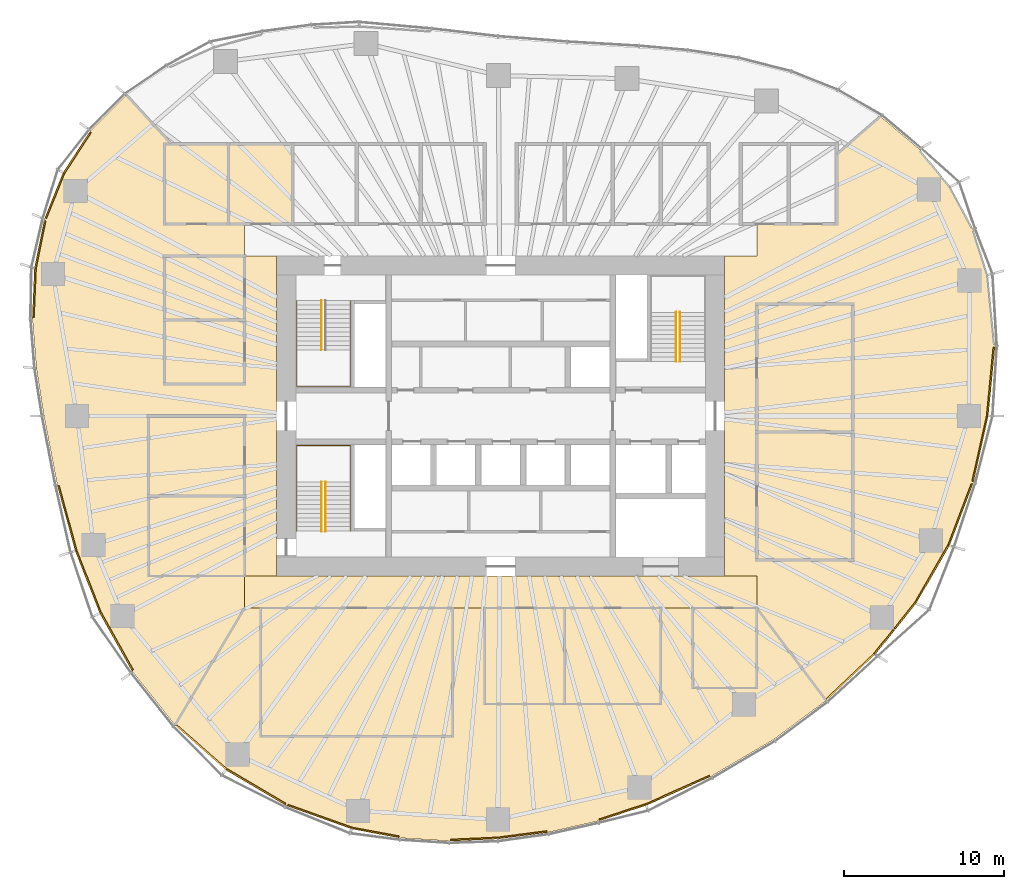
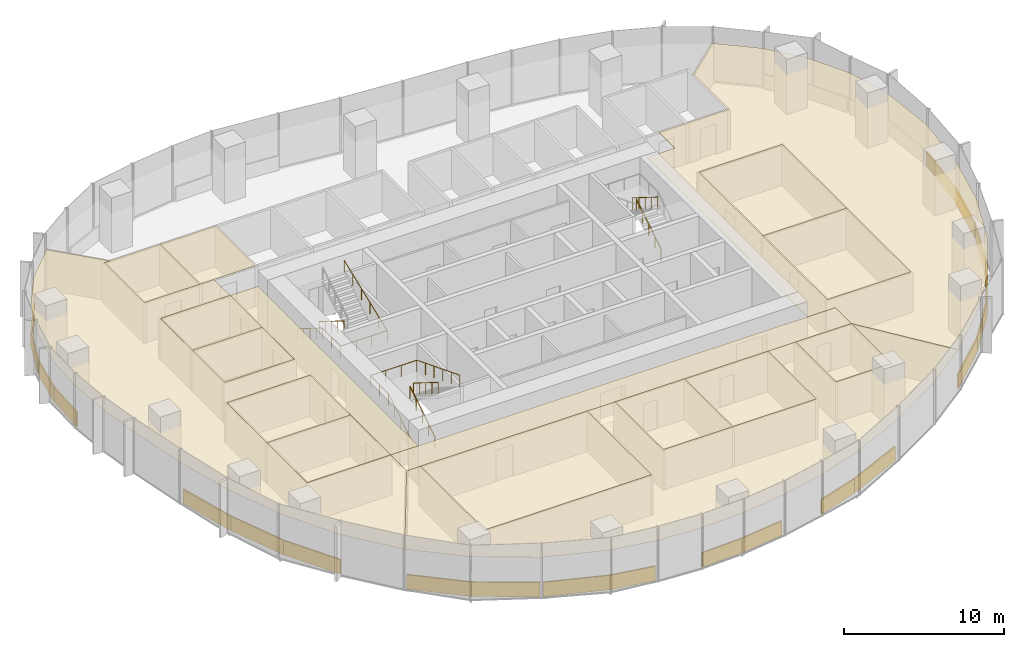
# One storey, part 17 of 18: 38 coverings, 7 railings.
"""IFC4 building model written with IfcOpenShell, lengths in metres."""

from ifc_helpers import new_model, si_unit, direction, frame, origin, origin_2d, place, context, subcontext, project, spatial, polyline, rectangle, circle, outline, extrude, material, layer, layer_set, type_object, element, save


model = new_model("IFC4")

# Units and contexts
model_context = context("Model", 3, precision=1e-05, world=origin(), true_north=direction((0.0, 1.0)))
body_context = subcontext(model_context, "Body", "Model", "MODEL_VIEW")
ifc_project = project(units=[si_unit("LENGTHUNIT", "METRE"), si_unit("AREAUNIT", "SQUARE_METRE"), si_unit("VOLUMEUNIT", "CUBIC_METRE"), si_unit("PLANEANGLEUNIT", "RADIAN"), si_unit("MASSUNIT", "GRAM", prefix="KILO")], contexts=[model_context])

# Site, building, storey
site_placement = place(None, origin())
site = spatial("IfcSite", under=ifc_project, at=site_placement, CompositionType="ELEMENT")
building_placement = place(site_placement, origin())
building = spatial("IfcBuilding", under=site, at=building_placement, Name="Ghaith Harvest Tower", CompositionType="ELEMENT")
storey_placement = place(building_placement, frame((0.0, 0.0, 134.39990234375)))
storey = spatial("IfcBuildingStorey", under=building, at=storey_placement, Name="L28", CompositionType="ELEMENT", Elevation=134.39990234375)

# Coverings
ifc_material_1 = material(Name="Mineral fibre ceiling tile", Category="gypsum")
ifc_layer_1 = layer(ifc_material_1, 0.02001953125)
ifc_layer_set_1 = layer_set([ifc_layer_1], Name="CEILING C1")
covering_type_1 = type_object("IfcCoveringType", Name="CEILING C1", PredefinedType="CEILING", material=ifc_layer_set_1)
covering_1_placement = place(storey_placement, frame((0.0, 0.0, 3.0)))
element("IfcCovering", 1, at=covering_1_placement, inside=storey, type_object=covering_type_1, Name="Ceiling L28-01", PredefinedType="CEILING", context=body_context, shape_type="SweptSolid", body=[
    extrude(outline(polyline([(-15.0, -20.0), (-3.0, -20.0), (-3.0, -12.0), (-15.0, -12.0), (-15.0, -20.0)])), origin(), (0.0, 0.0, 1.0), 0.02001953125),
])
covering_2_placement = place(storey_placement, frame((0.0, 0.0, 3.0)))
element("IfcCovering", 2, at=covering_2_placement, inside=storey, type_object=covering_type_1, Name="Ceiling L28-02", PredefinedType="CEILING", context=body_context, shape_type="SweptSolid", body=[
    extrude(outline(polyline([(-1.0, -18.0), (4.0, -18.0), (4.0, -12.0), (-1.0, -12.0), (-1.0, -18.0)])), origin(), (0.0, 0.0, 1.0), 0.02001953125),
])
covering_3_placement = place(storey_placement, frame((0.0, 0.0, 3.0)))
element("IfcCovering", 3, at=covering_3_placement, inside=storey, type_object=covering_type_1, Name="Ceiling L28-03", PredefinedType="CEILING", context=body_context, shape_type="SweptSolid", body=[
    extrude(outline(polyline([(4.0, -18.0), (10.0, -18.0), (10.0, -12.0), (4.0, -12.0), (4.0, -18.0)])), origin(), (0.0, 0.0, 1.0), 0.02001953125),
])
covering_4_placement = place(storey_placement, frame((0.0, 0.0, 3.0)))
element("IfcCovering", 4, at=covering_4_placement, inside=storey, type_object=covering_type_1, Name="Ceiling L28-04", PredefinedType="CEILING", context=body_context, shape_type="SweptSolid", body=[
    extrude(outline(polyline([(-21.0, 12.0), (-17.0, 12.0), (-17.0, 17.0), (-21.0, 17.0), (-21.0, 12.0)])), origin(), (0.0, 0.0, 1.0), 0.02001953125),
])
covering_5_placement = place(storey_placement, frame((0.0, 0.0, 3.0)))
element("IfcCovering", 5, at=covering_5_placement, inside=storey, type_object=covering_type_1, Name="Ceiling L28-05", PredefinedType="CEILING", context=body_context, shape_type="SweptSolid", body=[
    extrude(outline(polyline([(-17.0, 12.0), (-13.0, 12.0), (-13.0, 17.0), (-17.0, 17.0), (-17.0, 12.0)])), origin(), (0.0, 0.0, 1.0), 0.02001953125),
])
covering_6_placement = place(storey_placement, frame((0.0, 0.0, 3.0)))
element("IfcCovering", 6, at=covering_6_placement, inside=storey, type_object=covering_type_1, Name="Ceiling L28-13", PredefinedType="CEILING", context=body_context, shape_type="SweptSolid", body=[
    extrude(outline(polyline([(16.0, -9.0), (22.0, -9.0), (22.0, -1.0), (16.0, -1.0), (16.0, -9.0)])), origin(), (0.0, 0.0, 1.0), 0.02001953125),
])
covering_7_placement = place(storey_placement, frame((0.0, 0.0, 3.0)))
element("IfcCovering", 7, at=covering_7_placement, inside=storey, type_object=covering_type_1, Name="Ceiling L28-14", PredefinedType="CEILING", context=body_context, shape_type="SweptSolid", body=[
    extrude(outline(polyline([(16.0, -1.0), (22.0, -1.0), (22.0, 7.0), (16.0, 7.0), (16.0, -1.0)])), origin(), (0.0, 0.0, 1.0), 0.02001953125),
])
covering_8_placement = place(storey_placement, frame((0.0, 0.0, 3.0)))
element("IfcCovering", 8, at=covering_8_placement, inside=storey, type_object=covering_type_1, Name="Ceiling L28-15", PredefinedType="CEILING", context=body_context, shape_type="SweptSolid", body=[
    extrude(outline(polyline([(-22.0, -10.0), (-16.0, -10.0), (-16.0, -5.0), (-22.0, -5.0), (-22.0, -10.0)])), origin(), (0.0, 0.0, 1.0), 0.02001953125),
])
covering_9_placement = place(storey_placement, frame((0.0, 0.0, 3.0)))
element("IfcCovering", 9, at=covering_9_placement, inside=storey, type_object=covering_type_1, Name="Ceiling L28-16", PredefinedType="CEILING", context=body_context, shape_type="SweptSolid", body=[
    extrude(outline(polyline([(-22.0, -5.0), (-16.0, -5.0), (-16.0, 0.0), (-22.0, 0.0), (-22.0, -5.0)])), origin(), (0.0, 0.0, 1.0), 0.02001953125),
])
covering_10_placement = place(storey_placement, frame((0.0, 0.0, 3.0)))
element("IfcCovering", 10, at=covering_10_placement, inside=storey, type_object=covering_type_1, Name="Ceiling L28-19", PredefinedType="CEILING", context=body_context, shape_type="SweptSolid", body=[
    extrude(outline(polyline([(12.0, -17.0), (16.0, -17.0), (16.0, -12.0), (12.0, -12.0), (12.0, -17.0)])), origin(), (0.0, 0.0, 1.0), 0.02001953125),
])
covering_11_placement = place(storey_placement, frame((0.0, 0.0, 3.0)))
element("IfcCovering", 11, at=covering_11_placement, inside=storey, type_object=covering_type_1, Name="Ceiling L28-20", PredefinedType="CEILING", context=body_context, shape_type="SweptSolid", body=[
    extrude(outline(polyline([(-21.0, 2.0), (-16.0, 2.0), (-16.0, 6.0), (-21.0, 6.0), (-21.0, 2.0)])), origin(), (0.0, 0.0, 1.0), 0.02001953125),
])
covering_12_placement = place(storey_placement, frame((0.0, 0.0, 3.0)))
element("IfcCovering", 12, at=covering_12_placement, inside=storey, type_object=covering_type_1, Name="Ceiling L28-21", PredefinedType="CEILING", context=body_context, shape_type="SweptSolid", body=[
    extrude(outline(polyline([(-21.0, 6.0), (-16.0, 6.0), (-16.0, 10.0), (-21.0, 10.0), (-21.0, 6.0)])), origin(), (0.0, 0.0, 1.0), 0.02001953125),
])
covering_13_placement = place(storey_placement, frame((0.0, 0.0, 3.0)))
element("IfcCovering", 13, at=covering_13_placement, inside=storey, type_object=covering_type_1, Name="Ceiling L28-C2", PredefinedType="CEILING", context=body_context, shape_type="SweptSolid", body=[
    extrude(outline(polyline([(-16.0, -10.0), (16.0, -10.0), (16.0, -12.0), (-16.0, -12.0), (-16.0, -10.0)])), origin(), (0.0, 0.0, 1.0), 0.02001953125),
])
covering_14_placement = place(storey_placement, frame((0.0, 0.0, 3.0)))
element("IfcCovering", 14, at=covering_14_placement, inside=storey, type_object=covering_type_1, Name="Ceiling L28-E1", PredefinedType="CEILING", context=body_context, shape_type="SweptSolid", body=[
    extrude(outline(polyline([(26.179443359375, 16.660888671875), (28.0888671875, 14.32568359375), (29.52294921875, 11.671875), (30.439208984375, 8.797607421875), (30.8798828125, 4.373046875), (30.458740234375, 0.0), (29.527099609375, -4.181396484375), (28.03125, -8.1015625), (25.94775390625, -11.714111328125), (23.400390625, -14.89208984375), (20.33935546875, -17.784912109375), (16.0, -12.0), (16.0, -10.0), (14.0, -10.0), (14.0, 10.0), (16.0, 10.0), (16.0, 12.0), (21.0, 12.0), (21.0, 16.3466796875), (23.7275390625, 18.718017578125), (26.179443359375, 16.660888671875)]), holes=[polyline([(16.0, 7.0), (16.0, -9.0), (22.0, -9.0), (22.0, 7.0), (16.0, 7.0)])]), origin(), (0.0, 0.0, 1.0), 0.02001953125),
])
covering_15_placement = place(storey_placement, frame((0.0, 0.0, 3.0)))
element("IfcCovering", 15, at=covering_15_placement, inside=storey, type_object=covering_type_1, Name="Ceiling L28-S1", PredefinedType="CEILING", context=body_context, shape_type="SweptSolid", body=[
    extrude(outline(polyline([(17.054443359375, -20.22412109375), (13.163818359375, -22.510498046875), (9.09423828125, -24.326904296875), (6.09228515625, -25.308837890625), (2.99609375, -26.010009765625), (-0.180908203125, -26.423583984375), (-3.204833984375, -26.556884765625), (-6.2666015625, -26.366455078125), (-9.317138671875, -25.79638671875), (-13.4052734375, -24.33740234375), (-17.1728515625, -22.11181640625), (-20.35400390625, -19.31396484375), (-16.0, -12.0), (-15.0, -12.0), (-15.0, -20.0), (-3.0, -20.0), (-3.0, -12.0), (-1.0, -12.0), (-1.0, -18.0), (10.0, -18.0), (10.0, -12.0), (12.0, -12.0), (12.0, -17.0), (16.0, -17.0), (16.0, -12.0), (20.33935546875, -17.784912109375), (17.054443359375, -20.22412109375)])), origin(), (0.0, 0.0, 1.0), 0.02001953125),
])
covering_16_placement = place(storey_placement, frame((0.0, 0.0, 3.0)))
element("IfcCovering", 16, at=covering_16_placement, inside=storey, type_object=covering_type_1, Name="Ceiling L28-W1", PredefinedType="CEILING", context=body_context, shape_type="SweptSolid", body=[
    extrude(outline(polyline([(-29.12646484375, 9.230712890625), (-28.506591796875, 12.29638671875), (-27.33837890625, 15.204833984375), (-25.61962890625, 17.826416015625), (-23.398193359375, 20.06103515625), (-20.5888671875, 17.0), (-21.0, 17.0), (-21.0, 12.0), (-16.0, 12.0), (-16.0, 10.010009765625), (-21.010009765625, 10.010009765625), (-21.010009765625, 1.989990234375), (-15.989990234375, 1.989990234375), (-15.989990234375, 10.0), (-14.0, 10.0), (-14.0, -10.0), (-15.989990234375, -10.0), (-15.989990234375, 0.010009765625), (-22.010009765625, 0.010009765625), (-22.010009765625, -10.010009765625), (-16.0, -10.010009765625), (-16.0, -12.0), (-20.35400390625, -19.31396484375), (-22.99169921875, -15.997802734375), (-25.046875, -12.32861328125), (-26.580078125, -8.423583984375), (-27.70947265625, -4.285888671875), (-28.541259765625, 0.0), (-29.01171875, 2.978271484375), (-29.260498046875, 6.07177734375), (-29.12646484375, 9.230712890625)])), origin(), (0.0, 0.0, 1.0), 0.02001953125),
])

# Railings
ifc_material_2 = material(Name="Steel, black powder-coated", Category="steel")
railing_type = type_object("IfcRailingType", Name="HANDRAIL HR1", PredefinedType="HANDRAIL", material=ifc_material_2)
railing_1_placement = place(storey_placement, frame((-11.199951171875, 7.199951171875, 0.175048828125)))
element("IfcRailing", 17, at=railing_1_placement, inside=storey, type_object=railing_type, Name="Handrail HR1 stair ST1 L28 flight 1 inner", PredefinedType="HANDRAIL", context=body_context, shape_type="SweptSolid", body=[
    extrude(circle(Radius=0.02392578125, at=origin_2d()), frame((0.0, 0.0, 0.8759765625), z_axis=(0.0, -0.847979421464, 0.530029150871), x_axis=(1.0, 0.0, 0.0)), (0.0, 0.0, 1.0), 3.632080078125),
    extrude(circle(Radius=0.02099609375, at=origin_2d()), origin(), (0.0, 0.0, 1.0), 0.851806640625),
    extrude(circle(Radius=0.02099609375, at=origin_2d()), frame((0.0, -0.77001953125, 0.481201171875)), (0.0, 0.0, 1.0), 0.851806640625),
    extrude(circle(Radius=0.02099609375, at=origin_2d()), frame((0.0, -1.5400390625, 0.96240234375)), (0.0, 0.0, 1.0), 0.851806640625),
    extrude(circle(Radius=0.02099609375, at=origin_2d()), frame((0.0, -2.309814453125, 1.44384765625)), (0.0, 0.0, 1.0), 0.851806640625),
    extrude(circle(Radius=0.02099609375, at=origin_2d()), frame((0.0, -3.079833984375, 1.925048828125)), (0.0, 0.0, 1.0), 0.851806640625),
])
railing_2_placement = place(storey_placement, frame((-12.75, 7.199951171875, 0.175048828125)))
element("IfcRailing", 18, at=railing_2_placement, inside=storey, type_object=railing_type, Name="Handrail HR1 stair ST1 L28 wall side", PredefinedType="HANDRAIL", context=body_context, shape_type="SweptSolid", body=[
    extrude(circle(Radius=0.02392578125, at=origin_2d()), frame((0.0, 0.0, 0.8759765625), z_axis=(0.0, -0.847979421464, 0.530029150871), x_axis=(1.0, 0.0, 0.0)), (0.0, 0.0, 1.0), 3.632080078125),
    extrude(circle(Radius=0.02392578125, at=origin_2d()), frame((0.0, -3.079833984375, 2.80078125), z_axis=(0.0, -1.0, 0.0), x_axis=(1.0, 0.0, 0.0)), (0.0, 0.0, 1.0), 2.27001953125),
    extrude(circle(Radius=0.02392578125, at=origin_2d()), frame((0.0, -5.349853515625, 2.80078125), z_axis=(1.0, 0.0, 0.0), x_axis=(0.0, 1.0, 0.0)), (0.0, 0.0, 1.0), 3.35009765625),
    extrude(circle(Radius=0.02392578125, at=origin_2d()), frame((3.35009765625, -5.349853515625, 2.80078125), z_axis=(0.0, 0.930848013298, 0.36540659017), x_axis=(-1.0, 0.0, 0.0)), (0.0, 0.0, 1.0), 5.747314453125),
    extrude(circle(Radius=0.02099609375, at=origin_2d()), origin(), (0.0, 0.0, 1.0), 0.851806640625),
    extrude(circle(Radius=0.02099609375, at=origin_2d()), frame((0.0, -0.77001953125, 0.481201171875)), (0.0, 0.0, 1.0), 0.851806640625),
    extrude(circle(Radius=0.02099609375, at=origin_2d()), frame((0.0, -1.5400390625, 0.96240234375)), (0.0, 0.0, 1.0), 0.851806640625),
    extrude(circle(Radius=0.02099609375, at=origin_2d()), frame((0.0, -2.309814453125, 1.44384765625)), (0.0, 0.0, 1.0), 0.851806640625),
    extrude(circle(Radius=0.02099609375, at=origin_2d()), frame((0.0, -3.079833984375, 1.925048828125)), (0.0, 0.0, 1.0), 0.851806640625),
    extrude(circle(Radius=0.02099609375, at=origin_2d()), frame((0.0, -4.21484375, 1.925048828125)), (0.0, 0.0, 1.0), 0.851806640625),
    extrude(circle(Radius=0.02099609375, at=origin_2d()), frame((0.0, -5.349853515625, 1.925048828125)), (0.0, 0.0, 1.0), 0.851806640625),
    extrude(circle(Radius=0.02099609375, at=origin_2d()), frame((1.11669921875, -5.349853515625, 1.925048828125)), (0.0, 0.0, 1.0), 0.851806640625),
    extrude(circle(Radius=0.02099609375, at=origin_2d()), frame((2.2333984375, -5.349853515625, 1.925048828125)), (0.0, 0.0, 1.0), 0.851806640625),
    extrude(circle(Radius=0.02099609375, at=origin_2d()), frame((3.35009765625, -5.349853515625, 1.925048828125)), (0.0, 0.0, 1.0), 0.851806640625),
    extrude(circle(Radius=0.02099609375, at=origin_2d()), frame((3.35009765625, -4.27978515625, 2.344970703125)), (0.0, 0.0, 1.0), 0.851806640625),
    extrude(circle(Radius=0.02099609375, at=origin_2d()), frame((3.35009765625, -3.2099609375, 2.76513671875)), (0.0, 0.0, 1.0), 0.851806640625),
    extrude(circle(Radius=0.02099609375, at=origin_2d()), frame((3.35009765625, -2.139892578125, 3.18505859375)), (0.0, 0.0, 1.0), 0.851806640625),
    extrude(circle(Radius=0.02099609375, at=origin_2d()), frame((3.35009765625, -1.070068359375, 3.605224609375)), (0.0, 0.0, 1.0), 0.851806640625),
    extrude(circle(Radius=0.02099609375, at=origin_2d()), frame((3.35009765625, 0.0, 4.025146484375)), (0.0, 0.0, 1.0), 0.851806640625),
])
railing_3_placement = place(storey_placement, frame((-11.199951171875, -7.199951171875, 0.175048828125)))
element("IfcRailing", 19, at=railing_3_placement, inside=storey, type_object=railing_type, Name="Handrail HR1 stair ST3 L28 flight 1 inner", PredefinedType="HANDRAIL", context=body_context, shape_type="SweptSolid", body=[
    extrude(circle(Radius=0.02392578125, at=origin_2d()), frame((0.0, 0.0, 0.8759765625), z_axis=(0.0, 0.847979421464, 0.530029150871), x_axis=(-1.0, 0.0, 0.0)), (0.0, 0.0, 1.0), 3.632080078125),
    extrude(circle(Radius=0.02099609375, at=origin_2d()), origin(), (0.0, 0.0, 1.0), 0.851806640625),
    extrude(circle(Radius=0.02099609375, at=origin_2d()), frame((0.0, 0.77001953125, 0.481201171875)), (0.0, 0.0, 1.0), 0.851806640625),
    extrude(circle(Radius=0.02099609375, at=origin_2d()), frame((0.0, 1.5400390625, 0.96240234375)), (0.0, 0.0, 1.0), 0.851806640625),
    extrude(circle(Radius=0.02099609375, at=origin_2d()), frame((0.0, 2.309814453125, 1.44384765625)), (0.0, 0.0, 1.0), 0.851806640625),
    extrude(circle(Radius=0.02099609375, at=origin_2d()), frame((0.0, 3.079833984375, 1.925048828125)), (0.0, 0.0, 1.0), 0.851806640625),
])
railing_4_placement = place(storey_placement, frame((-10.949951171875, -4.1201171875, 2.275146484375)))
element("IfcRailing", 20, at=railing_4_placement, inside=storey, type_object=railing_type, Name="Handrail HR1 stair ST3 L28 flight 2 inner", PredefinedType="HANDRAIL", context=body_context, shape_type="SweptSolid", body=[
    extrude(circle(Radius=0.02392578125, at=origin_2d()), frame((0.0, 0.0, 0.8759765625), z_axis=(0.0, -0.847979421464, 0.530029150871), x_axis=(1.0, 0.0, 0.0)), (0.0, 0.0, 1.0), 3.632080078125),
    extrude(circle(Radius=0.02099609375, at=origin_2d()), origin(), (0.0, 0.0, 1.0), 0.851806640625),
    extrude(circle(Radius=0.02099609375, at=origin_2d()), frame((0.0, -0.77001953125, 0.481201171875)), (0.0, 0.0, 1.0), 0.851806640625),
    extrude(circle(Radius=0.02099609375, at=origin_2d()), frame((0.0, -1.5400390625, 0.96240234375)), (0.0, 0.0, 1.0), 0.851806640625),
    extrude(circle(Radius=0.02099609375, at=origin_2d()), frame((0.0, -2.309814453125, 1.44384765625)), (0.0, 0.0, 1.0), 0.851806640625),
    extrude(circle(Radius=0.02099609375, at=origin_2d()), frame((0.0, -3.079833984375, 1.925048828125)), (0.0, 0.0, 1.0), 0.851806640625),
])
railing_5_placement = place(storey_placement, frame((-12.75, -7.199951171875, 0.175048828125)))
element("IfcRailing", 21, at=railing_5_placement, inside=storey, type_object=railing_type, Name="Handrail HR1 stair ST3 L28 wall side", PredefinedType="HANDRAIL", context=body_context, shape_type="SweptSolid", body=[
    extrude(circle(Radius=0.02392578125, at=origin_2d()), frame((0.0, 0.0, 0.8759765625), z_axis=(0.0, 0.847979421464, 0.530029150871), x_axis=(-1.0, 0.0, 0.0)), (0.0, 0.0, 1.0), 3.632080078125),
    extrude(circle(Radius=0.02392578125, at=origin_2d()), frame((0.0, 3.079833984375, 2.80078125), z_axis=(0.0, 1.0, 0.0), x_axis=(-1.0, 0.0, 0.0)), (0.0, 0.0, 1.0), 2.27001953125),
    extrude(circle(Radius=0.02392578125, at=origin_2d()), frame((0.0, 5.349853515625, 2.80078125), z_axis=(1.0, 0.0, 0.0), x_axis=(0.0, 1.0, 0.0)), (0.0, 0.0, 1.0), 3.35009765625),
    extrude(circle(Radius=0.02392578125, at=origin_2d()), frame((3.35009765625, 5.349853515625, 2.80078125), z_axis=(0.0, -0.930848013298, 0.36540659017), x_axis=(1.0, 0.0, 0.0)), (0.0, 0.0, 1.0), 5.747314453125),
    extrude(circle(Radius=0.02099609375, at=origin_2d()), origin(), (0.0, 0.0, 1.0), 0.851806640625),
    extrude(circle(Radius=0.02099609375, at=origin_2d()), frame((0.0, 0.77001953125, 0.481201171875)), (0.0, 0.0, 1.0), 0.851806640625),
    extrude(circle(Radius=0.02099609375, at=origin_2d()), frame((0.0, 1.5400390625, 0.96240234375)), (0.0, 0.0, 1.0), 0.851806640625),
    extrude(circle(Radius=0.02099609375, at=origin_2d()), frame((0.0, 2.309814453125, 1.44384765625)), (0.0, 0.0, 1.0), 0.851806640625),
    extrude(circle(Radius=0.02099609375, at=origin_2d()), frame((0.0, 3.079833984375, 1.925048828125)), (0.0, 0.0, 1.0), 0.851806640625),
    extrude(circle(Radius=0.02099609375, at=origin_2d()), frame((0.0, 4.21484375, 1.925048828125)), (0.0, 0.0, 1.0), 0.851806640625),
    extrude(circle(Radius=0.02099609375, at=origin_2d()), frame((0.0, 5.349853515625, 1.925048828125)), (0.0, 0.0, 1.0), 0.851806640625),
    extrude(circle(Radius=0.02099609375, at=origin_2d()), frame((1.11669921875, 5.349853515625, 1.925048828125)), (0.0, 0.0, 1.0), 0.851806640625),
    extrude(circle(Radius=0.02099609375, at=origin_2d()), frame((2.2333984375, 5.349853515625, 1.925048828125)), (0.0, 0.0, 1.0), 0.851806640625),
    extrude(circle(Radius=0.02099609375, at=origin_2d()), frame((3.35009765625, 5.349853515625, 1.925048828125)), (0.0, 0.0, 1.0), 0.851806640625),
    extrude(circle(Radius=0.02099609375, at=origin_2d()), frame((3.35009765625, 4.27978515625, 2.344970703125)), (0.0, 0.0, 1.0), 0.851806640625),
    extrude(circle(Radius=0.02099609375, at=origin_2d()), frame((3.35009765625, 3.2099609375, 2.76513671875)), (0.0, 0.0, 1.0), 0.851806640625),
    extrude(circle(Radius=0.02099609375, at=origin_2d()), frame((3.35009765625, 2.139892578125, 3.18505859375)), (0.0, 0.0, 1.0), 0.851806640625),
    extrude(circle(Radius=0.02099609375, at=origin_2d()), frame((3.35009765625, 1.070068359375, 3.605224609375)), (0.0, 0.0, 1.0), 0.851806640625),
    extrude(circle(Radius=0.02099609375, at=origin_2d()), frame((3.35009765625, 0.0, 4.025146484375)), (0.0, 0.0, 1.0), 0.851806640625),
])
railing_6_placement = place(storey_placement, frame((11.199951171875, 3.39990234375, 0.175048828125)))
element("IfcRailing", 22, at=railing_6_placement, inside=storey, type_object=railing_type, Name="Handrail HR1 stair ST2 L28 flight 1 inner", PredefinedType="HANDRAIL", context=body_context, shape_type="SweptSolid", body=[
    extrude(circle(Radius=0.02392578125, at=origin_2d()), frame((0.0, 0.0, 0.8759765625), z_axis=(0.0, 0.847998304005, 0.529998940003), x_axis=(-1.0, 0.0, 0.0)), (0.0, 0.0, 1.0), 3.632080078125),
    extrude(circle(Radius=0.02099609375, at=origin_2d()), origin(), (0.0, 0.0, 1.0), 0.851806640625),
    extrude(circle(Radius=0.02099609375, at=origin_2d()), frame((0.0, 0.77001953125, 0.481201171875)), (0.0, 0.0, 1.0), 0.851806640625),
    extrude(circle(Radius=0.02099609375, at=origin_2d()), frame((0.0, 1.5400390625, 0.96240234375)), (0.0, 0.0, 1.0), 0.851806640625),
    extrude(circle(Radius=0.02099609375, at=origin_2d()), frame((0.0, 2.31005859375, 1.44384765625)), (0.0, 0.0, 1.0), 0.851806640625),
    extrude(circle(Radius=0.02099609375, at=origin_2d()), frame((0.0, 3.080078125, 1.925048828125)), (0.0, 0.0, 1.0), 0.851806640625),
])
railing_7_placement = place(storey_placement, frame((10.949951171875, 6.47998046875, 2.275146484375)))
element("IfcRailing", 23, at=railing_7_placement, inside=storey, type_object=railing_type, Name="Handrail HR1 stair ST2 L28 flight 2 inner", PredefinedType="HANDRAIL", context=body_context, shape_type="SweptSolid", body=[
    extrude(circle(Radius=0.02392578125, at=origin_2d()), frame((0.0, 0.0, 0.8759765625), z_axis=(0.0, -0.847998304005, 0.529998940003), x_axis=(1.0, 0.0, 0.0)), (0.0, 0.0, 1.0), 3.632080078125),
    extrude(circle(Radius=0.02099609375, at=origin_2d()), origin(), (0.0, 0.0, 1.0), 0.851806640625),
    extrude(circle(Radius=0.02099609375, at=origin_2d()), frame((0.0, -0.77001953125, 0.481201171875)), (0.0, 0.0, 1.0), 0.851806640625),
    extrude(circle(Radius=0.02099609375, at=origin_2d()), frame((0.0, -1.5400390625, 0.96240234375)), (0.0, 0.0, 1.0), 0.851806640625),
    extrude(circle(Radius=0.02099609375, at=origin_2d()), frame((0.0, -2.31005859375, 1.44384765625)), (0.0, 0.0, 1.0), 0.851806640625),
    extrude(circle(Radius=0.02099609375, at=origin_2d()), frame((0.0, -3.080078125, 1.925048828125)), (0.0, 0.0, 1.0), 0.851806640625),
])

# Coverings
ifc_material_3 = material(Name="Insulated aluminium spandrel panel on steel framing", Category="steel")
ifc_layer_2 = layer(ifc_material_3, 0.10009765625)
ifc_layer_set_2 = layer_set([ifc_layer_2], Name="SLAB EDGE UPSTAND 1100x100")
covering_type_2 = type_object("IfcCoveringType", Name="SLAB EDGE UPSTAND 1100x100", PredefinedType="CLADDING", material=ifc_layer_set_2)
covering_17_placement = place(storey_placement, frame((30.61474609375, 2.1416015625, 0.0), z_axis=(0.0, 0.0, 1.0), x_axis=(0.095861332319, 0.99539469808, 0.0)))
element("IfcCovering", 24, at=covering_17_placement, inside=storey, type_object=covering_type_2, Name="Slab edge upstand 1 bay 01 L28", PredefinedType="CLADDING", context=body_context, shape_type="SweptSolid", body=[
    extrude(rectangle(XDim=4.293212890625, YDim=0.10009765625, at=origin_2d()), origin(), (0.0, 0.0, 1.0), 1.10009765625),
])
covering_18_placement = place(storey_placement, frame((-26.464599609375, 16.4462890625, 0.0), z_axis=(0.0, 0.0, 1.0), x_axis=(-0.548312211554, -0.836273710373, 0.0)))
element("IfcCovering", 25, at=covering_18_placement, inside=storey, type_object=covering_type_2, Name="Slab edge upstand 1 bay 09 L28", PredefinedType="CLADDING", context=body_context, shape_type="SweptSolid", body=[
    extrude(rectangle(XDim=3.03466796875, YDim=0.10009765625, at=origin_2d()), origin(), (0.0, 0.0, 1.0), 1.10009765625),
])
covering_19_placement = place(storey_placement, frame((-27.857421875, 13.7783203125, 0.0), z_axis=(0.0, 0.0, 1.0), x_axis=(-0.372732078847, -0.927939005215, 0.0)))
element("IfcCovering", 26, at=covering_19_placement, inside=storey, type_object=covering_type_2, Name="Slab edge upstand 2 bay 09 L28", PredefinedType="CLADDING", context=body_context, shape_type="SweptSolid", body=[
    extrude(rectangle(XDim=3.034423828125, YDim=0.10009765625, at=origin_2d()), origin(), (0.0, 0.0, 1.0), 1.10009765625),
])
covering_20_placement = place(storey_placement, frame((-28.777587890625, 10.70458984375, 0.0), z_axis=(0.0, 0.0, 1.0), x_axis=(-0.198182542943, -0.980165128778, 0.0)))
element("IfcCovering", 27, at=covering_20_placement, inside=storey, type_object=covering_type_2, Name="Slab edge upstand 3 bay 09 L28", PredefinedType="CLADDING", context=body_context, shape_type="SweptSolid", body=[
    extrude(rectangle(XDim=3.027587890625, YDim=0.10009765625, at=origin_2d()), origin(), (0.0, 0.0, 1.0), 1.10009765625),
])
covering_21_placement = place(storey_placement, frame((-29.141357421875, 7.69921875, 0.0), z_axis=(0.0, 0.0, 1.0), x_axis=(-0.042372799788, -0.9991018696, 0.0)))
element("IfcCovering", 28, at=covering_21_placement, inside=storey, type_object=covering_type_2, Name="Slab edge upstand 1 bay 10 L28", PredefinedType="CLADDING", context=body_context, shape_type="SweptSolid", body=[
    extrude(rectangle(XDim=3.061767578125, YDim=0.10009765625, at=origin_2d()), origin(), (0.0, 0.0, 1.0), 1.10009765625),
])
covering_22_placement = place(storey_placement, frame((-27.08349609375, -6.389892578125, 0.0), z_axis=(0.0, 0.0, 1.0), x_axis=(0.263287721652, -0.964717355305, 0.0)))
element("IfcCovering", 29, at=covering_22_placement, inside=storey, type_object=covering_type_2, Name="Slab edge upstand 2 bay 11 L28", PredefinedType="CLADDING", context=body_context, shape_type="SweptSolid", body=[
    extrude(rectangle(XDim=4.189208984375, YDim=0.10009765625, at=origin_2d()), origin(), (0.0, 0.0, 1.0), 1.10009765625),
])
covering_23_placement = place(storey_placement, frame((-25.76708984375, -10.35791015625, 0.0), z_axis=(0.0, 0.0, 1.0), x_axis=(0.365514970008, -0.930805461254, 0.0)))
element("IfcCovering", 30, at=covering_23_placement, inside=storey, type_object=covering_type_2, Name="Slab edge upstand 1 bay 12 L28", PredefinedType="CLADDING", context=body_context, shape_type="SweptSolid", body=[
    extrude(rectangle(XDim=4.195068359375, YDim=0.10009765625, at=origin_2d()), origin(), (0.0, 0.0, 1.0), 1.10009765625),
])
covering_24_placement = place(storey_placement, frame((-24.0, -14.09521484375, 0.0), z_axis=(0.0, 0.0, 1.0), x_axis=(0.488683758288, -0.872460993045, 0.0)))
element("IfcCovering", 31, at=covering_24_placement, inside=storey, type_object=covering_type_2, Name="Slab edge upstand 2 bay 12 L28", PredefinedType="CLADDING", context=body_context, shape_type="SweptSolid", body=[
    extrude(rectangle(XDim=4.10546875, YDim=0.10009765625, at=origin_2d()), origin(), (0.0, 0.0, 1.0), 1.10009765625),
])
covering_25_placement = place(storey_placement, frame((-18.69287109375, -20.70849609375, 0.0), z_axis=(0.0, 0.0, 1.0), x_axis=(0.75089221411, -0.660424774511, 0.0)))
element("IfcCovering", 32, at=covering_25_placement, inside=storey, type_object=covering_type_2, Name="Slab edge upstand 2 bay 13 L28", PredefinedType="CLADDING", context=body_context, shape_type="SweptSolid", body=[
    extrude(rectangle(XDim=4.136474609375, YDim=0.10009765625, at=origin_2d()), origin(), (0.0, 0.0, 1.0), 1.10009765625),
])
covering_26_placement = place(storey_placement, frame((-15.306640625, -23.15625, 0.0), z_axis=(0.0, 0.0, 1.0), x_axis=(0.861020519069, -0.508570217121, 0.0)))
element("IfcCovering", 33, at=covering_26_placement, inside=storey, type_object=covering_type_2, Name="Slab edge upstand 1 bay 14 L28", PredefinedType="CLADDING", context=body_context, shape_type="SweptSolid", body=[
    extrude(rectangle(XDim=4.27587890625, YDim=0.10009765625, at=origin_2d()), origin(), (0.0, 0.0, 1.0), 1.10009765625),
])
covering_27_placement = place(storey_placement, frame((-11.29736328125, -25.03662109375, 0.0), z_axis=(0.0, 0.0, 1.0), x_axis=(0.941807015649, -0.336154049915, 0.0)))
element("IfcCovering", 34, at=covering_27_placement, inside=storey, type_object=covering_type_2, Name="Slab edge upstand 2 bay 14 L28", PredefinedType="CLADDING", context=body_context, shape_type="SweptSolid", body=[
    extrude(rectangle(XDim=4.24072265625, YDim=0.10009765625, at=origin_2d()), origin(), (0.0, 0.0, 1.0), 1.10009765625),
])
covering_28_placement = place(storey_placement, frame((-7.831787109375, -26.023193359375, 0.0), z_axis=(0.0, 0.0, 1.0), x_axis=(0.982990071164, -0.183658705191, 0.0)))
element("IfcCovering", 35, at=covering_28_placement, inside=storey, type_object=covering_type_2, Name="Slab edge upstand 1 bay 15 L28", PredefinedType="CLADDING", context=body_context, shape_type="SweptSolid", body=[
    extrude(rectangle(XDim=3.003173828125, YDim=0.10009765625, at=origin_2d()), origin(), (0.0, 0.0, 1.0), 1.10009765625),
])
covering_29_placement = place(storey_placement, frame((-1.64501953125, -26.43798828125, 0.0), z_axis=(0.0, 0.0, 1.0), x_axis=(0.999029547734, 0.044045008275, 0.0)))
element("IfcCovering", 36, at=covering_29_placement, inside=storey, type_object=covering_type_2, Name="Slab edge upstand 3 bay 15 L28", PredefinedType="CLADDING", context=body_context, shape_type="SweptSolid", body=[
    extrude(rectangle(XDim=2.927001953125, YDim=0.10009765625, at=origin_2d()), origin(), (0.0, 0.0, 1.0), 1.10009765625),
])
covering_30_placement = place(storey_placement, frame((1.3515625, -26.173583984375, 0.0), z_axis=(0.0, 0.0, 1.0), x_axis=(0.991633707242, 0.129083657611, 0.0)))
element("IfcCovering", 37, at=covering_30_placement, inside=storey, type_object=covering_type_2, Name="Slab edge upstand 1 bay 16 L28", PredefinedType="CLADDING", context=body_context, shape_type="SweptSolid", body=[
    extrude(rectangle(XDim=3.103759765625, YDim=0.10009765625, at=origin_2d()), origin(), (0.0, 0.0, 1.0), 1.10009765625),
])
covering_31_placement = place(storey_placement, frame((7.625244140625, -24.754638671875, 0.0), z_axis=(0.0, 0.0, 1.0), x_axis=(0.950441392134, 0.310903779518, 0.0)))
element("IfcCovering", 38, at=covering_31_placement, inside=storey, type_object=covering_type_2, Name="Slab edge upstand 3 bay 16 L28", PredefinedType="CLADDING", context=body_context, shape_type="SweptSolid", body=[
    extrude(rectangle(XDim=3.05859375, YDim=0.10009765625, at=origin_2d()), origin(), (0.0, 0.0, 1.0), 1.10009765625),
])
covering_32_placement = place(storey_placement, frame((11.06298828125, -23.393310546875, 0.0), z_axis=(0.0, 0.0, 1.0), x_axis=(0.913170343632, 0.407578119519, 0.0)))
element("IfcCovering", 39, at=covering_32_placement, inside=storey, type_object=covering_type_2, Name="Slab edge upstand 1 bay 17 L28", PredefinedType="CLADDING", context=body_context, shape_type="SweptSolid", body=[
    extrude(rectangle(XDim=4.356689453125, YDim=0.10009765625, at=origin_2d()), origin(), (0.0, 0.0, 1.0), 1.10009765625),
])
covering_33_placement = place(storey_placement, frame((21.871826171875, -16.267822265625, 0.0), z_axis=(0.0, 0.0, 1.0), x_axis=(0.72680962062, 0.686838973395, 0.0)))
element("IfcCovering", 40, at=covering_33_placement, inside=storey, type_object=covering_type_2, Name="Slab edge upstand 2 bay 18 L28", PredefinedType="CLADDING", context=body_context, shape_type="SweptSolid", body=[
    extrude(rectangle(XDim=4.111572265625, YDim=0.10009765625, at=origin_2d()), origin(), (0.0, 0.0, 1.0), 1.10009765625),
])
covering_34_placement = place(storey_placement, frame((23.95263671875, -14.123046875, 0.0), z_axis=(0.0, 0.0, 1.0), x_axis=(0.625468377377, 0.780249517079, 0.0)))
element("IfcCovering", 41, at=covering_34_placement, inside=storey, type_object=covering_type_2, Name="Slab edge upstand 1 bay 19 L28", PredefinedType="CLADDING", context=body_context, shape_type="SweptSolid", body=[
    extrude(rectangle(XDim=1.89111328125, YDim=0.10009765625, at=origin_2d()), origin(), (0.0, 0.0, 1.0), 1.10009765625),
])
covering_35_placement = place(storey_placement, frame((25.266845703125, -12.483642578125, 0.0), z_axis=(0.0, 0.0, 1.0), x_axis=(0.625468377377, 0.780249517079, 0.0)))
element("IfcCovering", 42, at=covering_35_placement, inside=storey, type_object=covering_type_2, Name="Slab edge upstand 1 bay 19 L28", PredefinedType="CLADDING", context=body_context, shape_type="SweptSolid", body=[
    extrude(rectangle(XDim=2.052490234375, YDim=0.10009765625, at=origin_2d()), origin(), (0.0, 0.0, 1.0), 1.10009765625),
])
covering_36_placement = place(storey_placement, frame((26.9462890625, -9.8828125, 0.0), z_axis=(0.0, 0.0, 1.0), x_axis=(0.499596169173, 0.866258430117, 0.0)))
element("IfcCovering", 43, at=covering_36_placement, inside=storey, type_object=covering_type_2, Name="Slab edge upstand 2 bay 19 L28", PredefinedType="CLADDING", context=body_context, shape_type="SweptSolid", body=[
    extrude(rectangle(XDim=4.170166015625, YDim=0.10009765625, at=origin_2d()), origin(), (0.0, 0.0, 1.0), 1.10009765625),
])
covering_37_placement = place(storey_placement, frame((28.714599609375, -6.17041015625, 0.0), z_axis=(0.0, 0.0, 1.0), x_axis=(0.356503850378, 0.934293853488, 0.0)))
element("IfcCovering", 44, at=covering_37_placement, inside=storey, type_object=covering_type_2, Name="Slab edge upstand 1 bay 20 L28", PredefinedType="CLADDING", context=body_context, shape_type="SweptSolid", body=[
    extrude(rectangle(XDim=4.095947265625, YDim=0.10009765625, at=origin_2d()), origin(), (0.0, 0.0, 1.0), 1.10009765625),
])
covering_38_placement = place(storey_placement, frame((29.955078125, -2.031005859375, 0.0), z_axis=(0.0, 0.0, 1.0), x_axis=(0.217466241983, 0.976067842723, 0.0)))
element("IfcCovering", 45, at=covering_38_placement, inside=storey, type_object=covering_type_2, Name="Slab edge upstand 2 bay 20 L28", PredefinedType="CLADDING", context=body_context, shape_type="SweptSolid", body=[
    extrude(rectangle(XDim=4.183837890625, YDim=0.10009765625, at=origin_2d()), origin(), (0.0, 0.0, 1.0), 1.10009765625),
])

save(model, "model.ifc")
